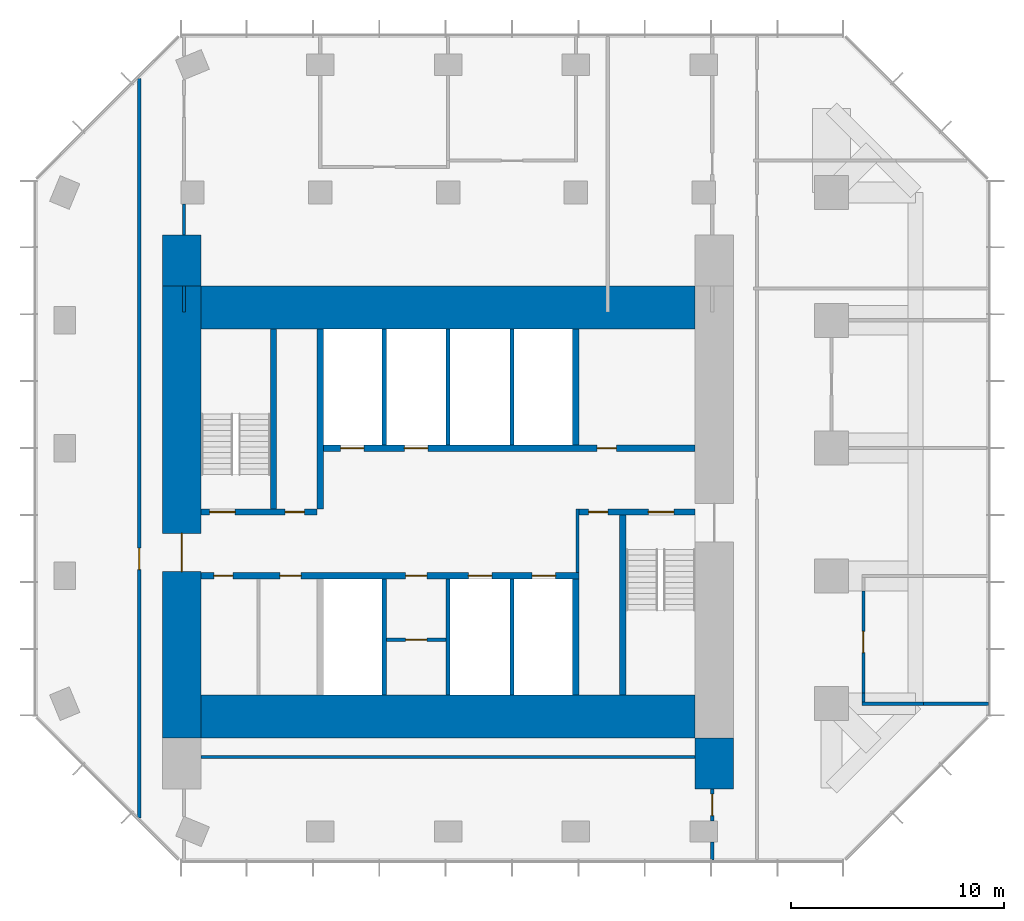
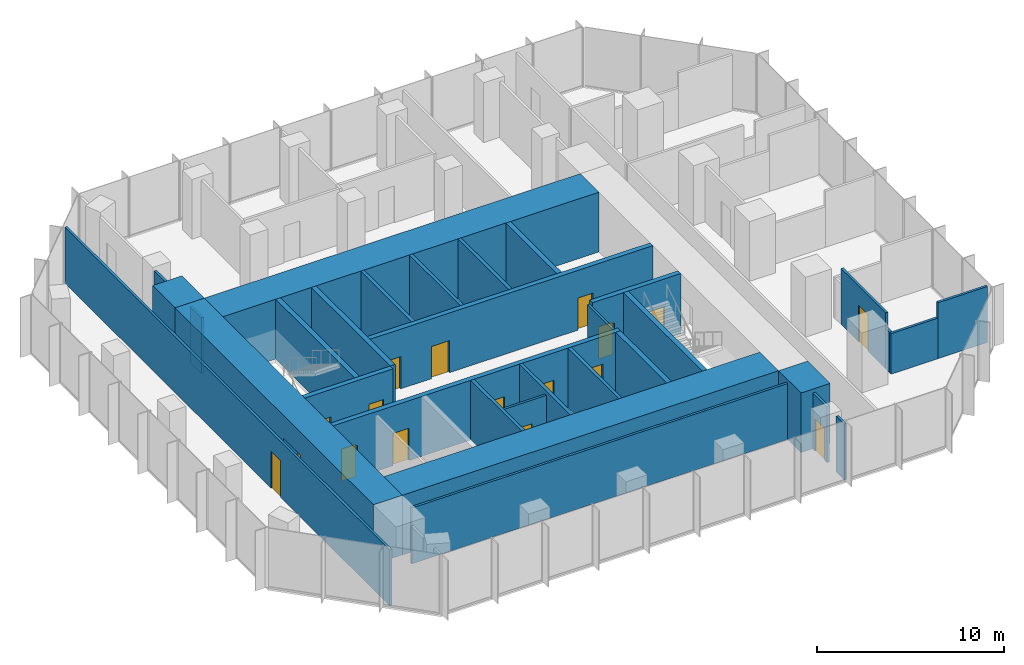
# One storey, part 8 of 10: 32 walls, 17 doors, 17 openings.
"""IFC4 building model written with IfcOpenShell, lengths in metres."""

from ifc_helpers import new_model, si_unit, direction, frame, frame_2d, origin, place, context, subcontext, project, spatial, rectangle, extrude, material, layer, layer_set, type_object, element, fill, save


model = new_model("IFC4")

# Units and contexts
model_context = context("Model", 3, precision=1e-05, world=origin(), true_north=direction((0.0, 1.0)))
body_context = subcontext(model_context, "Body", "Model", "MODEL_VIEW")
ifc_project = project(units=[si_unit("LENGTHUNIT", "METRE"), si_unit("AREAUNIT", "SQUARE_METRE"), si_unit("VOLUMEUNIT", "CUBIC_METRE"), si_unit("PLANEANGLEUNIT", "RADIAN"), si_unit("MASSUNIT", "GRAM", prefix="KILO")], contexts=[model_context])

# Site, building, storey
site_placement = place(None, origin())
site = spatial("IfcSite", under=ifc_project, at=site_placement, CompositionType="ELEMENT")
building_placement = place(site_placement, origin())
building = spatial("IfcBuilding", under=site, at=building_placement, Name="Highveld Stack Headquarters", CompositionType="ELEMENT")
storey_placement = place(building_placement, frame((0.0, 0.0, 252.800048828125)))
storey = spatial("IfcBuildingStorey", under=building, at=storey_placement, Name="L62", CompositionType="ELEMENT", Elevation=252.800048828125)

# Wall, opening, door
ifc_material_1 = material(Name="Concrete C60/75", Category="concrete")
ifc_layer_1 = layer(ifc_material_1, 1.800048828125)
ifc_layer_set_1 = layer_set([ifc_layer_1], Name="Concrete C60/75")
wall_type_1 = type_object("IfcWallType", Name="CORE WALL 1800 C60/75", PredefinedType="SHEAR", material=ifc_layer_set_1)
wall_1_placement = place(storey_placement, frame((-6.5, -7.60009765625, 0.0), z_axis=(0.0, 0.0, 1.0), x_axis=(0.0, 1.0, 0.0)))
wall_1 = element("IfcWall", 1, at=wall_1_placement, inside=storey, type_object=wall_type_1, Name="Core wall W L62", PredefinedType="SHEAR", context=body_context, shape_type="SweptSolid", body=[
    extrude(rectangle(XDim=21.2001953125, YDim=1.800048828125, at=frame_2d((10.60009765625, 0.0))), origin(), (0.0, 0.0, 1.0), 3.89990234375),
])
opening_1_placement = place(wall_1_placement, frame((7.800048828125, 0.0, 0.0)))
opening_1 = element("IfcOpeningElement", 2, at=opening_1_placement, cuts=wall_1, Name="Opening L62-01", PredefinedType="OPENING", context=body_context, shape_type="SweptSolid", body=[
    extrude(rectangle(XDim=1.800048828125, YDim=2.39990234375, at=frame_2d((0.89990234375, 1.199951171875))), frame((0.0, 0.909912109375, 0.0), z_axis=(0.0, -1.0, 0.0), x_axis=(1.0, 0.0, 0.0)), (0.0, 0.0, 1.0), 1.820068359375),
])
ifc_material_2 = material(Name="Steel fire door", Category="steel")
door_type_1 = type_object("IfcDoorType", Name="LOBBY FIRE DOOR D4 1800x2400", OperationType="DOUBLE_DOOR_SINGLE_SWING", PredefinedType="DOOR", material=ifc_material_2)
door_1_placement = place(opening_1_placement, origin())
door_1 = element("IfcDoor", 3, at=door_1_placement, inside=storey, type_object=door_type_1, Name="Core west door L62", OperationType="DOUBLE_DOOR_SINGLE_SWING", OverallHeight=2.39990234375, OverallWidth=1.800048828125, PredefinedType="DOOR", context=body_context, shape_type="SweptSolid", body=[
    extrude(rectangle(XDim=1.800048828125, YDim=2.39990234375, at=frame_2d((0.89990234375, 1.199951171875))), frame((0.0, 0.02490234375, 0.0), z_axis=(0.0, -1.0, 0.0), x_axis=(1.0, 0.0, 0.0)), (0.0, 0.0, 1.0), 0.050048828125),
])
fill(opening_1, door_1)

# Walls
ifc_material_3 = material(Name="Concrete C60/75", Category="concrete")
ifc_layer_2 = layer(ifc_material_3, 2.0)
ifc_layer_set_2 = layer_set([ifc_layer_2], Name="Concrete C60/75")
wall_type_2 = type_object("IfcWallType", Name="CORE WALL 2000 C60/75", PredefinedType="SHEAR", material=ifc_layer_set_2)
for number, where, z_axis, x_axis, name in (
    (4, (-5.60009765625, -6.60009765625, 0.0), (0.0, 0.0, 1.0), (1.0, 0.0, 0.0), "Core wall S L62"),
    (5, (-5.60009765625, 12.60009765625, 0.0), (0.0, 0.0, 1.0), (1.0, 0.0, 0.0), "Core wall N L62"),
):
    element("IfcWall", number, at=place(storey_placement, frame(where, z_axis=z_axis, x_axis=x_axis)), inside=storey, type_object=wall_type_2, Name=name, PredefinedType="SHEAR", context=body_context, shape_type="SweptSolid", body=[
        extrude(rectangle(XDim=23.2001953125, YDim=2.0, at=frame_2d((11.60009765625, 0.0))), origin(), (0.0, 0.0, 1.0), 3.89990234375),
    ])

# Wall, openings, doors
ifc_material_4 = material(Name="Concrete C60/75", Category="concrete")
ifc_layer_3 = layer(ifc_material_4, 0.300048828125)
ifc_layer_set_3 = layer_set([ifc_layer_3], Name="Concrete C60/75")
wall_type_3 = type_object("IfcWallType", Name="CORE WALL 300 C60/75", PredefinedType="SHEAR", material=ifc_layer_set_3)
wall_2_placement = place(storey_placement, frame((-5.60009765625, 0.0, 0.0), z_axis=(0.0, 0.0, 1.0), x_axis=(1.0, 0.0, 0.0)))
wall_2 = element("IfcWall", 6, at=wall_2_placement, inside=storey, type_object=wall_type_3, Name="Core wall I-Y0 L62", PredefinedType="SHEAR", context=body_context, shape_type="SweptSolid", body=[
    extrude(rectangle(XDim=17.75, YDim=0.300048828125, at=frame_2d((8.875, 0.0))), origin(), (0.0, 0.0, 1.0), 3.89990234375),
])
opening_2_placement = place(wall_2_placement, frame((0.60009765625, 0.0, 0.0)))
opening_2 = element("IfcOpeningElement", 7, at=opening_2_placement, cuts=wall_2, Name="Opening L62-07", PredefinedType="OPENING", context=body_context, shape_type="SweptSolid", body=[
    extrude(rectangle(XDim=0.89990234375, YDim=2.10009765625, at=frame_2d((0.449951171875, 1.050048828125))), frame((0.0, 0.159912109375, 0.0), z_axis=(0.0, -1.0, 0.0), x_axis=(1.0, 0.0, 0.0)), (0.0, 0.0, 1.0), 0.320068359375),
])
opening_3_placement = place(wall_2_placement, frame((3.699951171875, 0.0, 0.0)))
opening_3 = element("IfcOpeningElement", 8, at=opening_3_placement, cuts=wall_2, Name="Opening L62-08", PredefinedType="OPENING", context=body_context, shape_type="SweptSolid", body=[
    extrude(rectangle(XDim=1.0, YDim=2.10009765625, at=frame_2d((0.5, 1.050048828125))), frame((0.0, 0.159912109375, 0.0), z_axis=(0.0, -1.0, 0.0), x_axis=(1.0, 0.0, 0.0)), (0.0, 0.0, 1.0), 0.320068359375),
])
opening_4_placement = place(wall_2_placement, frame((9.60009765625, 0.0, 0.0)))
opening_4 = element("IfcOpeningElement", 9, at=opening_4_placement, cuts=wall_2, Name="Opening L62-11", PredefinedType="OPENING", context=body_context, shape_type="SweptSolid", body=[
    extrude(rectangle(XDim=1.0, YDim=2.10009765625, at=frame_2d((0.5, 1.050048828125))), frame((0.0, 0.159912109375, 0.0), z_axis=(0.0, -1.0, 0.0), x_axis=(1.0, 0.0, 0.0)), (0.0, 0.0, 1.0), 0.320068359375),
])
opening_5_placement = place(wall_2_placement, frame((12.550048828125, 0.0, 0.0)))
opening_5 = element("IfcOpeningElement", 10, at=opening_5_placement, cuts=wall_2, Name="Opening LD", PredefinedType="OPENING", context=body_context, shape_type="SweptSolid", body=[
    extrude(rectangle(XDim=1.10009765625, YDim=2.10009765625, at=frame_2d((0.550048828125, 1.050048828125))), frame((0.0, 0.159912109375, 0.0), z_axis=(0.0, -1.0, 0.0), x_axis=(1.0, 0.0, 0.0)), (0.0, 0.0, 1.0), 0.320068359375),
])
opening_6_placement = place(wall_2_placement, frame((15.550048828125, 0.0, 0.0)))
opening_6 = element("IfcOpeningElement", 11, at=opening_6_placement, cuts=wall_2, Name="Opening LD", PredefinedType="OPENING", context=body_context, shape_type="SweptSolid", body=[
    extrude(rectangle(XDim=1.10009765625, YDim=2.10009765625, at=frame_2d((0.550048828125, 1.050048828125))), frame((0.0, 0.159912109375, 0.0), z_axis=(0.0, -1.0, 0.0), x_axis=(1.0, 0.0, 0.0)), (0.0, 0.0, 1.0), 0.320068359375),
])
ifc_material_5 = material(Name="Timber door, painted", Category="wood")
door_type_2 = type_object("IfcDoorType", Name="ACCESSIBLE WC DOOR D2 1000x2100", OperationType="SINGLE_SWING_RIGHT", PredefinedType="DOOR", material=ifc_material_5)
door_2_placement = place(opening_3_placement, origin())
door_2 = element("IfcDoor", 12, at=door_2_placement, inside=storey, type_object=door_type_2, Name="Accessible WC door L62", OperationType="SINGLE_SWING_LEFT", OverallHeight=2.10009765625, OverallWidth=1.0, PredefinedType="DOOR", context=body_context, shape_type="SweptSolid", body=[
    extrude(rectangle(XDim=1.0, YDim=2.10009765625, at=frame_2d((0.5, 1.050048828125))), frame((0.0, 0.02490234375, 0.0), z_axis=(0.0, -1.0, 0.0), x_axis=(1.0, 0.0, 0.0)), (0.0, 0.0, 1.0), 0.050048828125),
])
fill(opening_3, door_2)
ifc_material_6 = material(Name="Steel fire door", Category="steel")
door_type_3 = type_object("IfcDoorType", Name="CORE ROOM FIRE DOOR D14 1000x2100", OperationType="SINGLE_SWING_LEFT", PredefinedType="DOOR", material=ifc_material_6)
door_3_placement = place(opening_4_placement, origin())
door_3 = element("IfcDoor", 13, at=door_3_placement, inside=storey, type_object=door_type_3, Name="Capped B 1 door L62", OperationType="SINGLE_SWING_RIGHT", OverallHeight=2.10009765625, OverallWidth=1.0, PredefinedType="DOOR", context=body_context, shape_type="SweptSolid", body=[
    extrude(rectangle(XDim=1.0, YDim=2.10009765625, at=frame_2d((0.5, 1.050048828125))), frame((0.0, 0.02490234375, 0.0), z_axis=(0.0, -1.0, 0.0), x_axis=(1.0, 0.0, 0.0)), (0.0, 0.0, 1.0), 0.050048828125),
])
fill(opening_4, door_3)
ifc_material_7 = material(Name="Stainless steel lift landing door", Category="steel")
door_type_4 = type_object("IfcDoorType", Name="LIFT LANDING DOOR LD 1100x2100", OperationType="DOUBLE_DOOR_SLIDING", PredefinedType="USERDEFINED", material=ifc_material_7)
door_4_placement = place(opening_5_placement, origin())
door_4 = element("IfcDoor", 14, at=door_4_placement, inside=storey, type_object=door_type_4, Name="Lift landing door C1 L62", ObjectType="LIFT LANDING DOOR", OperationType="DOUBLE_DOOR_SLIDING", OverallHeight=2.10009765625, OverallWidth=1.10009765625, PredefinedType="USERDEFINED", context=body_context, shape_type="SweptSolid", body=[
    extrude(rectangle(XDim=1.10009765625, YDim=2.10009765625, at=frame_2d((0.550048828125, 1.050048828125))), frame((0.0, 0.02490234375, 0.0), z_axis=(0.0, -1.0, 0.0), x_axis=(1.0, 0.0, 0.0)), (0.0, 0.0, 1.0), 0.050048828125),
])
fill(opening_5, door_4)
door_5_placement = place(opening_6_placement, origin())
door_5 = element("IfcDoor", 15, at=door_5_placement, inside=storey, type_object=door_type_4, Name="Lift landing door C2 L62", ObjectType="LIFT LANDING DOOR", OperationType="DOUBLE_DOOR_SLIDING", OverallHeight=2.10009765625, OverallWidth=1.10009765625, PredefinedType="USERDEFINED", context=body_context, shape_type="SweptSolid", body=[
    extrude(rectangle(XDim=1.10009765625, YDim=2.10009765625, at=frame_2d((0.550048828125, 1.050048828125))), frame((0.0, 0.02490234375, 0.0), z_axis=(0.0, -1.0, 0.0), x_axis=(1.0, 0.0, 0.0)), (0.0, 0.0, 1.0), 0.050048828125),
])
fill(opening_6, door_5)
ifc_material_8 = material(Name="Timber door, painted", Category="wood")
door_type_5 = type_object("IfcDoorType", Name="WC DOOR D1 900x2100", OperationType="SINGLE_SWING_LEFT", PredefinedType="DOOR", material=ifc_material_8)
door_6_placement = place(opening_2_placement, origin())
door_6 = element("IfcDoor", 16, at=door_6_placement, inside=storey, type_object=door_type_5, Name="Female WC door L62", OperationType="SINGLE_SWING_LEFT", OverallHeight=2.10009765625, OverallWidth=0.89990234375, PredefinedType="DOOR", context=body_context, shape_type="SweptSolid", body=[
    extrude(rectangle(XDim=0.89990234375, YDim=2.10009765625, at=frame_2d((0.449951171875, 1.050048828125))), frame((0.0, 0.02490234375, 0.0), z_axis=(0.0, -1.0, 0.0), x_axis=(1.0, 0.0, 0.0)), (0.0, 0.0, 1.0), 0.050048828125),
])
fill(opening_2, door_6)

wall_3_placement = place(storey_placement, frame((-5.60009765625, 3.0, 0.0), z_axis=(0.0, 0.0, 1.0), x_axis=(1.0, 0.0, 0.0)))
wall_3 = element("IfcWall", 17, at=wall_3_placement, inside=storey, type_object=wall_type_3, Name="Core wall I-Y3W L62", PredefinedType="SHEAR", context=body_context, shape_type="SweptSolid", body=[
    extrude(rectangle(XDim=5.4501953125, YDim=0.300048828125, at=frame_2d((2.72509765625, 0.0))), origin(), (0.0, 0.0, 1.0), 3.89990234375),
])
opening_7_placement = place(wall_3_placement, frame((0.39990234375, 0.0, 0.0)))
opening_7 = element("IfcOpeningElement", 18, at=opening_7_placement, cuts=wall_3, Name="Opening L62-03", PredefinedType="OPENING", context=body_context, shape_type="SweptSolid", body=[
    extrude(rectangle(XDim=1.199951171875, YDim=2.10009765625, at=frame_2d((0.60009765625, 1.050048828125))), frame((0.0, 0.159912109375, 0.0), z_axis=(0.0, -1.0, 0.0), x_axis=(1.0, 0.0, 0.0)), (0.0, 0.0, 1.0), 0.320068359375),
])
opening_8_placement = place(wall_3_placement, frame((3.949951171875, 0.0, 0.0)))
opening_8 = element("IfcOpeningElement", 19, at=opening_8_placement, cuts=wall_3, Name="Opening L62-04", PredefinedType="OPENING", context=body_context, shape_type="SweptSolid", body=[
    extrude(rectangle(XDim=0.89990234375, YDim=2.10009765625, at=frame_2d((0.449951171875, 1.050048828125))), frame((0.0, 0.159912109375, 0.0), z_axis=(0.0, -1.0, 0.0), x_axis=(1.0, 0.0, 0.0)), (0.0, 0.0, 1.0), 0.320068359375),
])
ifc_material_9 = material(Name="Steel fire door", Category="steel")
door_type_6 = type_object("IfcDoorType", Name="RISER ACCESS DOOR D5 900x2100", OperationType="SINGLE_SWING_LEFT", PredefinedType="DOOR", material=ifc_material_9)
door_7_placement = place(opening_8_placement, origin())
door_7 = element("IfcDoor", 20, at=door_7_placement, inside=storey, type_object=door_type_6, Name="Riser R1 door L62", OperationType="SINGLE_SWING_RIGHT", OverallHeight=2.10009765625, OverallWidth=0.89990234375, PredefinedType="DOOR", context=body_context, shape_type="SweptSolid", body=[
    extrude(rectangle(XDim=0.89990234375, YDim=2.10009765625, at=frame_2d((0.449951171875, 1.050048828125))), frame((0.0, 0.02490234375, 0.0), z_axis=(0.0, -1.0, 0.0), x_axis=(1.0, 0.0, 0.0)), (0.0, 0.0, 1.0), 0.050048828125),
])
fill(opening_8, door_7)
ifc_material_10 = material(Name="Steel fire door", Category="steel")
door_type_7 = type_object("IfcDoorType", Name="STAIR FIRE DOOR D3 1200x2100", OperationType="SINGLE_SWING_LEFT", PredefinedType="DOOR", material=ifc_material_10)
door_8_placement = place(opening_7_placement, origin())
door_8 = element("IfcDoor", 21, at=door_8_placement, inside=storey, type_object=door_type_7, Name="Stair S1 door L62", OperationType="SINGLE_SWING_LEFT", OverallHeight=2.10009765625, OverallWidth=1.199951171875, PredefinedType="DOOR", context=body_context, shape_type="SweptSolid", body=[
    extrude(rectangle(XDim=1.199951171875, YDim=2.10009765625, at=frame_2d((0.60009765625, 1.050048828125))), frame((0.0, 0.02490234375, 0.0), z_axis=(0.0, -1.0, 0.0), x_axis=(1.0, 0.0, 0.0)), (0.0, 0.0, 1.0), 0.050048828125),
])
fill(opening_7, door_8)

wall_4_placement = place(storey_placement, frame((12.14990234375, 3.0, 0.0), z_axis=(0.0, 0.0, 1.0), x_axis=(1.0, 0.0, 0.0)))
wall_4 = element("IfcWall", 22, at=wall_4_placement, inside=storey, type_object=wall_type_3, Name="Core wall I-Y3E L62", PredefinedType="SHEAR", context=body_context, shape_type="SweptSolid", body=[
    extrude(rectangle(XDim=5.4501953125, YDim=0.300048828125, at=frame_2d((2.72509765625, 0.0))), origin(), (0.0, 0.0, 1.0), 3.89990234375),
])
opening_9_placement = place(wall_4_placement, frame((3.25, 0.0, 0.0)))
opening_9 = element("IfcOpeningElement", 23, at=opening_9_placement, cuts=wall_4, Name="Opening L62-05", PredefinedType="OPENING", context=body_context, shape_type="SweptSolid", body=[
    extrude(rectangle(XDim=1.199951171875, YDim=2.10009765625, at=frame_2d((0.60009765625, 1.050048828125))), frame((0.0, 0.159912109375, 0.0), z_axis=(0.0, -1.0, 0.0), x_axis=(1.0, 0.0, 0.0)), (0.0, 0.0, 1.0), 0.320068359375),
])
opening_10_placement = place(wall_4_placement, frame((0.449951171875, 0.0, 0.0)))
opening_10 = element("IfcOpeningElement", 24, at=opening_10_placement, cuts=wall_4, Name="Opening L62-06", PredefinedType="OPENING", context=body_context, shape_type="SweptSolid", body=[
    extrude(rectangle(XDim=0.89990234375, YDim=2.10009765625, at=frame_2d((0.449951171875, 1.050048828125))), frame((0.0, 0.159912109375, 0.0), z_axis=(0.0, -1.0, 0.0), x_axis=(1.0, 0.0, 0.0)), (0.0, 0.0, 1.0), 0.320068359375),
])
door_9_placement = place(opening_10_placement, origin())
door_9 = element("IfcDoor", 25, at=door_9_placement, inside=storey, type_object=door_type_6, Name="Riser R2 door L62", OperationType="SINGLE_SWING_LEFT", OverallHeight=2.10009765625, OverallWidth=0.89990234375, PredefinedType="DOOR", context=body_context, shape_type="SweptSolid", body=[
    extrude(rectangle(XDim=0.89990234375, YDim=2.10009765625, at=frame_2d((0.449951171875, 1.050048828125))), frame((0.0, 0.02490234375, 0.0), z_axis=(0.0, -1.0, 0.0), x_axis=(1.0, 0.0, 0.0)), (0.0, 0.0, 1.0), 0.050048828125),
])
fill(opening_10, door_9)
door_10_placement = place(opening_9_placement, origin())
door_10 = element("IfcDoor", 26, at=door_10_placement, inside=storey, type_object=door_type_7, Name="Stair S2 door L62", OperationType="SINGLE_SWING_RIGHT", OverallHeight=2.10009765625, OverallWidth=1.199951171875, PredefinedType="DOOR", context=body_context, shape_type="SweptSolid", body=[
    extrude(rectangle(XDim=1.199951171875, YDim=2.10009765625, at=frame_2d((0.60009765625, 1.050048828125))), frame((0.0, 0.02490234375, 0.0), z_axis=(0.0, -1.0, 0.0), x_axis=(1.0, 0.0, 0.0)), (0.0, 0.0, 1.0), 0.050048828125),
])
fill(opening_9, door_10)

wall_5_placement = place(storey_placement, frame((-0.14990234375, 6.0, 0.0), z_axis=(0.0, 0.0, 1.0), x_axis=(1.0, 0.0, 0.0)))
wall_5 = element("IfcWall", 27, at=wall_5_placement, inside=storey, type_object=wall_type_3, Name="Core wall I-Y6 L62", PredefinedType="SHEAR", context=body_context, shape_type="SweptSolid", body=[
    extrude(rectangle(XDim=17.75, YDim=0.300048828125, at=frame_2d((8.875, 0.0))), origin(), (0.0, 0.0, 1.0), 3.89990234375),
])
opening_11_placement = place(wall_5_placement, frame((13.14990234375, 0.0, 0.0)))
opening_11 = element("IfcOpeningElement", 28, at=opening_11_placement, cuts=wall_5, Name="Opening L62-09", PredefinedType="OPENING", context=body_context, shape_type="SweptSolid", body=[
    extrude(rectangle(XDim=0.89990234375, YDim=2.10009765625, at=frame_2d((0.449951171875, 1.050048828125))), frame((0.0, 0.159912109375, 0.0), z_axis=(0.0, -1.0, 0.0), x_axis=(1.0, 0.0, 0.0)), (0.0, 0.0, 1.0), 0.320068359375),
])
opening_12_placement = place(wall_5_placement, frame((1.10009765625, 0.0, 0.0)))
opening_12 = element("IfcOpeningElement", 29, at=opening_12_placement, cuts=wall_5, Name="Opening LD", PredefinedType="OPENING", context=body_context, shape_type="SweptSolid", body=[
    extrude(rectangle(XDim=1.10009765625, YDim=2.10009765625, at=frame_2d((0.550048828125, 1.050048828125))), frame((0.0, 0.159912109375, 0.0), z_axis=(0.0, -1.0, 0.0), x_axis=(1.0, 0.0, 0.0)), (0.0, 0.0, 1.0), 0.320068359375),
])
opening_13_placement = place(wall_5_placement, frame((4.10009765625, 0.0, 0.0)))
opening_13 = element("IfcOpeningElement", 30, at=opening_13_placement, cuts=wall_5, Name="Opening LD", PredefinedType="OPENING", context=body_context, shape_type="SweptSolid", body=[
    extrude(rectangle(XDim=1.10009765625, YDim=2.10009765625, at=frame_2d((0.550048828125, 1.050048828125))), frame((0.0, 0.159912109375, 0.0), z_axis=(0.0, -1.0, 0.0), x_axis=(1.0, 0.0, 0.0)), (0.0, 0.0, 1.0), 0.320068359375),
])
door_11_placement = place(opening_12_placement, origin())
door_11 = element("IfcDoor", 31, at=door_11_placement, inside=storey, type_object=door_type_4, Name="Lift landing door FF1 L62", ObjectType="LIFT LANDING DOOR", OperationType="DOUBLE_DOOR_SLIDING", OverallHeight=2.10009765625, OverallWidth=1.10009765625, PredefinedType="USERDEFINED", context=body_context, shape_type="SweptSolid", body=[
    extrude(rectangle(XDim=1.10009765625, YDim=2.10009765625, at=frame_2d((0.550048828125, 1.050048828125))), frame((0.0, 0.02490234375, 0.0), z_axis=(0.0, -1.0, 0.0), x_axis=(1.0, 0.0, 0.0)), (0.0, 0.0, 1.0), 0.050048828125),
])
fill(opening_12, door_11)
door_12_placement = place(opening_13_placement, origin())
door_12 = element("IfcDoor", 32, at=door_12_placement, inside=storey, type_object=door_type_4, Name="Lift landing door FF2 L62", ObjectType="LIFT LANDING DOOR", OperationType="DOUBLE_DOOR_SLIDING", OverallHeight=2.10009765625, OverallWidth=1.10009765625, PredefinedType="USERDEFINED", context=body_context, shape_type="SweptSolid", body=[
    extrude(rectangle(XDim=1.10009765625, YDim=2.10009765625, at=frame_2d((0.550048828125, 1.050048828125))), frame((0.0, 0.02490234375, 0.0), z_axis=(0.0, -1.0, 0.0), x_axis=(1.0, 0.0, 0.0)), (0.0, 0.0, 1.0), 0.050048828125),
])
fill(opening_13, door_12)
door_13_placement = place(opening_11_placement, origin())
door_13 = element("IfcDoor", 33, at=door_13_placement, inside=storey, type_object=door_type_5, Name="Male WC door L62", OperationType="SINGLE_SWING_RIGHT", OverallHeight=2.10009765625, OverallWidth=0.89990234375, PredefinedType="DOOR", context=body_context, shape_type="SweptSolid", body=[
    extrude(rectangle(XDim=0.89990234375, YDim=2.10009765625, at=frame_2d((0.449951171875, 1.050048828125))), frame((0.0, 0.02490234375, 0.0), z_axis=(0.0, -1.0, 0.0), x_axis=(1.0, 0.0, 0.0)), (0.0, 0.0, 1.0), 0.050048828125),
])
fill(opening_11, door_13)

# Walls
wall_6_placement = place(storey_placement, frame((0.0, 3.14990234375, 0.0), z_axis=(0.0, 0.0, 1.0), x_axis=(0.0, 1.0, 0.0)))
element("IfcWall", 34, at=wall_6_placement, inside=storey, type_object=wall_type_3, Name="Core wall I-X0N L62", PredefinedType="SHEAR", context=body_context, shape_type="SweptSolid", body=[
    extrude(rectangle(XDim=8.4501953125, YDim=0.300048828125, at=frame_2d((4.22509765625, 0.0))), origin(), (0.0, 0.0, 1.0), 3.89990234375),
])
for number, where, z_axis, x_axis, name in (
    (35, (12.0, -5.60009765625, 0.0), (0.0, 0.0, 1.0), (0.0, 1.0, 0.0), "Core wall I-X12S L62"),
    (36, (12.0, 6.14990234375, 0.0), (0.0, 0.0, 1.0), (0.0, 1.0, 0.0), "Core wall I-X12N L62"),
):
    element("IfcWall", number, at=place(storey_placement, frame(where, z_axis=z_axis, x_axis=x_axis)), inside=storey, type_object=wall_type_3, Name=name, PredefinedType="SHEAR", context=body_context, shape_type="SweptSolid", body=[
        extrude(rectangle(XDim=5.4501953125, YDim=0.300048828125, at=frame_2d((2.72509765625, 0.0))), origin(), (0.0, 0.0, 1.0), 3.89990234375),
    ])
for number, where, z_axis, x_axis, name in (
    (37, (-2.199951171875, 3.14990234375, 0.0), (0.0, 0.0, 1.0), (0.0, 1.0, 0.0), "Core wall I-RW L62"),
    (38, (14.199951171875, -5.60009765625, 0.0), (0.0, 0.0, 1.0), (0.0, 1.0, 0.0), "Core wall I-RE L62"),
):
    element("IfcWall", number, at=place(storey_placement, frame(where, z_axis=z_axis, x_axis=x_axis)), inside=storey, type_object=wall_type_3, Name=name, PredefinedType="SHEAR", context=body_context, shape_type="SweptSolid", body=[
        extrude(rectangle(XDim=8.4501953125, YDim=0.300048828125, at=frame_2d((4.22509765625, 0.0))), origin(), (0.0, 0.0, 1.0), 3.89990234375),
    ])
ifc_material_11 = material(Name="Concrete C60/75", Category="concrete")
ifc_layer_4 = layer(ifc_material_11, 1.800048828125)
ifc_layer_set_4 = layer_set([ifc_layer_4], Name="Concrete C60/75")
wall_type_4 = type_object("IfcWallType", Name="CORE WING WALL 1800 C60/75", PredefinedType="SHEAR", material=ifc_layer_set_4)
for number, where, z_axis, x_axis, name in (
    (39, (-6.5, 13.60009765625, 0.0), (0.0, 0.0, 1.0), (0.0, 1.0, 0.0), "Core wing wall WN L62"),
    (40, (18.5, -10.0, 0.0), (0.0, 0.0, 1.0), (0.0, 1.0, 0.0), "Core wing wall ES L62"),
):
    element("IfcWall", number, at=place(storey_placement, frame(where, z_axis=z_axis, x_axis=x_axis)), inside=storey, type_object=wall_type_4, Name=name, PredefinedType="SHEAR", context=body_context, shape_type="SweptSolid", body=[
        extrude(rectangle(XDim=2.39990234375, YDim=1.800048828125, at=frame_2d((1.199951171875, 0.0))), origin(), (0.0, 0.0, 1.0), 3.89990234375),
    ])

# Wall, opening, door
ifc_material_12 = material(Name="Concrete blockwork, plastered", Category="masonry")
ifc_layer_5 = layer(ifc_material_12, 0.14990234375)
ifc_layer_set_5 = layer_set([ifc_layer_5], Name="Concrete blockwork, plastered")
wall_type_5 = type_object("IfcWallType", Name="FIRE PARTITION 150 BLOCKWORK", PredefinedType="PARTITIONING", material=ifc_layer_set_5)
wall_7_placement = place(storey_placement, frame((3.10009765625, -3.0, 0.0), z_axis=(0.0, 0.0, 1.0), x_axis=(1.0, 0.0, 0.0)))
wall_7 = element("IfcWall", 41, at=wall_7_placement, inside=storey, type_object=wall_type_5, Name="Core room partition L62", PredefinedType="PARTITIONING", context=body_context, shape_type="SweptSolid", body=[
    extrude(rectangle(XDim=2.7998046875, YDim=0.14990234375, at=frame_2d((1.39990234375, 0.0))), origin(), (0.0, 0.0, 1.0), 3.64990234375),
])
opening_14_placement = place(wall_7_placement, frame((0.89990234375, 0.0, 0.0)))
opening_14 = element("IfcOpeningElement", 42, at=opening_14_placement, cuts=wall_7, Name="Opening L62-10", PredefinedType="OPENING", context=body_context, shape_type="SweptSolid", body=[
    extrude(rectangle(XDim=1.0, YDim=2.10009765625, at=frame_2d((0.5, 1.050048828125))), frame((0.0, 0.0849609375, 0.0), z_axis=(0.0, -1.0, 0.0), x_axis=(1.0, 0.0, 0.0)), (0.0, 0.0, 1.0), 0.169921875),
])
door_14_placement = place(opening_14_placement, origin())
door_14 = element("IfcDoor", 43, at=door_14_placement, inside=storey, type_object=door_type_3, Name="Capped B 2 door L62", OperationType="SINGLE_SWING_RIGHT", OverallHeight=2.10009765625, OverallWidth=1.0, PredefinedType="DOOR", context=body_context, shape_type="SweptSolid", body=[
    extrude(rectangle(XDim=1.0, YDim=2.10009765625, at=frame_2d((0.5, 1.050048828125))), frame((0.0, 0.02490234375, 0.0), z_axis=(0.0, -1.0, 0.0), x_axis=(1.0, 0.0, 0.0)), (0.0, 0.0, 1.0), 0.050048828125),
])
fill(opening_14, door_14)

# Walls
wall_8_placement = place(storey_placement, frame((12.074951171875, 0.14990234375, 0.0), z_axis=(0.0, 0.0, 1.0), x_axis=(0.0, 1.0, 0.0)))
element("IfcWall", 44, at=wall_8_placement, inside=storey, type_object=wall_type_5, Name="Riser R2 enclosure L62", PredefinedType="PARTITIONING", context=body_context, shape_type="SweptSolid", body=[
    extrude(rectangle(XDim=3.0, YDim=0.14990234375, at=frame_2d((1.5, 0.0))), origin(), (0.0, 0.0, 1.0), 3.64990234375),
])
ifc_material_13 = material(Name="Concrete blockwork, fair-faced", Category="masonry")
ifc_layer_6 = layer(ifc_material_13, 0.199951171875)
ifc_layer_set_6 = layer_set([ifc_layer_6], Name="Concrete blockwork, fair-faced")
wall_type_6 = type_object("IfcWallType", Name="LIFT SHAFT ENCLOSURE WALL 200 BLOCKWORK", PredefinedType="SOLIDWALL", material=ifc_layer_set_6)
for number, where, z_axis, x_axis, name in (
    (45, (3.0, 6.14990234375, 0.0), (0.0, 0.0, 1.0), (0.0, 1.0, 0.0), "Lift shaft wall L62"),
    (46, (6.0, 6.14990234375, 0.0), (0.0, 0.0, 1.0), (0.0, 1.0, 0.0), "Lift shaft wall L62"),
    (47, (9.0, 6.14990234375, 0.0), (0.0, 0.0, 1.0), (0.0, 1.0, 0.0), "Lift shaft wall L62"),
    (48, (3.0, -5.60009765625, 0.0), (0.0, 0.0, 1.0), (0.0, 1.0, 0.0), "Lift shaft wall L62"),
    (49, (6.0, -5.60009765625, 0.0), (0.0, 0.0, 1.0), (0.0, 1.0, 0.0), "Lift shaft wall L62"),
    (50, (9.0, -5.60009765625, 0.0), (0.0, 0.0, 1.0), (0.0, 1.0, 0.0), "Lift shaft wall L62"),
):
    element("IfcWall", number, at=place(storey_placement, frame(where, z_axis=z_axis, x_axis=x_axis)), inside=storey, type_object=wall_type_6, Name=name, PredefinedType="SOLIDWALL", context=body_context, shape_type="SweptSolid", body=[
        extrude(rectangle(XDim=5.4501953125, YDim=0.199951171875, at=frame_2d((2.72509765625, 0.0))), origin(), (0.0, 0.0, 1.0), 3.89990234375),
    ])
ifc_material_14 = material(Name="Gypsum plasterboard on steel studs", Category="steel")
ifc_layer_7 = layer(ifc_material_14, 0.14990234375)
ifc_layer_set_7 = layer_set([ifc_layer_7], Name="Gypsum plasterboard on steel studs")
wall_type_7 = type_object("IfcWallType", Name="PARTITION 150 PLASTERBOARD", PredefinedType="PARTITIONING", material=ifc_layer_set_7)
wall_9_placement = place(storey_placement, frame((25.425048828125, -6.0, 0.0), z_axis=(0.0, 0.0, 1.0), x_axis=(1.0, 0.0, 0.0)))
element("IfcWall", 51, at=wall_9_placement, inside=storey, type_object=wall_type_7, Name="Partition Quiet room L62", PredefinedType="PARTITIONING", context=body_context, shape_type="SweptSolid", body=[
    extrude(rectangle(XDim=2.885009765625, YDim=0.14990234375, at=frame_2d((1.4423828125, 0.0))), origin(), (0.0, 0.0, 1.0), 2.64990234375),
])
wall_10_placement = place(storey_placement, frame((28.31005859375, -6.0, 0.0), z_axis=(0.0, 0.0, 1.0), x_axis=(1.0, 0.0, 0.0)))
element("IfcWall", 52, at=wall_10_placement, inside=storey, type_object=wall_type_7, Name="Partition Quiet room L62", PredefinedType="PARTITIONING", context=body_context, shape_type="SweptSolid", body=[
    extrude(rectangle(XDim=3.06494140625, YDim=0.14990234375, at=frame_2d((1.532470703125, 0.0))), origin(), (0.0, 0.0, 1.0), 3.64990234375),
])
wall_11_placement = place(storey_placement, frame((25.5, -5.925048828125, 0.0), z_axis=(0.0, 0.0, 1.0), x_axis=(0.0, 1.0, 0.0)))
element("IfcWall", 53, at=wall_11_placement, inside=storey, type_object=wall_type_7, Name="Partition Quiet room L62", PredefinedType="PARTITIONING", context=body_context, shape_type="SweptSolid", body=[
    extrude(rectangle(XDim=0.43505859375, YDim=0.14990234375, at=frame_2d((0.217529296875, 0.0))), origin(), (0.0, 0.0, 1.0), 2.64990234375),
])

# Wall, opening, door
wall_12_placement = place(storey_placement, frame((25.5, -5.489990234375, 0.0), z_axis=(0.0, 0.0, 1.0), x_axis=(0.0, 1.0, 0.0)))
wall_12 = element("IfcWall", 54, at=wall_12_placement, inside=storey, type_object=wall_type_7, Name="Partition Quiet room L62", PredefinedType="PARTITIONING", context=body_context, shape_type="SweptSolid", body=[
    extrude(rectangle(XDim=4.780029296875, YDim=0.14990234375, at=frame_2d((2.39013671875, 0.0))), origin(), (0.0, 0.0, 1.0), 3.64990234375),
])
opening_15_placement = place(wall_12_placement, frame((1.889892578125, 0.0, 0.0)))
opening_15 = element("IfcOpeningElement", 55, at=opening_15_placement, cuts=wall_12, Name="Opening L62-12", PredefinedType="OPENING", context=body_context, shape_type="SweptSolid", body=[
    extrude(rectangle(XDim=1.0, YDim=2.39990234375, at=frame_2d((0.5, 1.199951171875))), frame((0.0, 0.0849609375, 0.0), z_axis=(0.0, -1.0, 0.0), x_axis=(1.0, 0.0, 0.0)), (0.0, 0.0, 1.0), 0.169921875),
])
ifc_material_15 = material(Name="Timber door, oiled ash", Category="wood")
door_type_8 = type_object("IfcDoorType", Name="ROOM DOOR D11 1000x2400", OperationType="SINGLE_SWING_LEFT", PredefinedType="DOOR", material=ifc_material_15)
door_15_placement = place(opening_15_placement, origin())
door_15 = element("IfcDoor", 56, at=door_15_placement, inside=storey, type_object=door_type_8, Name="Quiet room door 1 L62", OperationType="SINGLE_SWING_RIGHT", OverallHeight=2.39990234375, OverallWidth=1.0, PredefinedType="DOOR", context=body_context, shape_type="SweptSolid", body=[
    extrude(rectangle(XDim=1.0, YDim=2.39990234375, at=frame_2d((0.5, 1.199951171875))), frame((0.0, 0.02490234375, 0.0), z_axis=(0.0, -1.0, 0.0), x_axis=(1.0, 0.0, 0.0)), (0.0, 0.0, 1.0), 0.050048828125),
])
fill(opening_15, door_15)

wall_13_placement = place(storey_placement, frame((-8.5, -11.363037109375, 0.0), z_axis=(0.0, 0.0, 1.0), x_axis=(0.0, 1.0, 0.0)))
wall_13 = element("IfcWall", 57, at=wall_13_placement, inside=storey, type_object=wall_type_7, Name="Partition office neighbourhood L62", PredefinedType="PARTITIONING", context=body_context, shape_type="SweptSolid", body=[
    extrude(rectangle(XDim=34.72607421875, YDim=0.14990234375, at=frame_2d((17.363037109375, 0.0))), origin(), (0.0, 0.0, 1.0), 3.64990234375),
])
opening_16_placement = place(wall_13_placement, frame((11.662109375, 0.0, 0.0)))
opening_16 = element("IfcOpeningElement", 58, at=opening_16_placement, cuts=wall_13, Name="Opening L62-17", PredefinedType="OPENING", context=body_context, shape_type="SweptSolid", body=[
    extrude(rectangle(XDim=1.0, YDim=2.39990234375, at=frame_2d((0.5, 1.199951171875))), frame((0.0, 0.0849609375, 0.0), z_axis=(0.0, -1.0, 0.0), x_axis=(1.0, 0.0, 0.0)), (0.0, 0.0, 1.0), 0.169921875),
])
door_16_placement = place(opening_16_placement, origin())
door_16 = element("IfcDoor", 59, at=door_16_placement, inside=storey, type_object=door_type_8, Name="Office neighbourhood door L62", OperationType="SINGLE_SWING_LEFT", OverallHeight=2.39990234375, OverallWidth=1.0, PredefinedType="DOOR", context=body_context, shape_type="SweptSolid", body=[
    extrude(rectangle(XDim=1.0, YDim=2.39990234375, at=frame_2d((0.5, 1.199951171875))), frame((0.0, 0.02490234375, 0.0), z_axis=(0.0, -1.0, 0.0), x_axis=(1.0, 0.0, 0.0)), (0.0, 0.0, 1.0), 0.050048828125),
])
fill(opening_16, door_16)

# Walls
wall_14_placement = place(storey_placement, frame((-6.39990234375, 12.39990234375, 0.0), z_axis=(0.0, 0.0, 1.0), x_axis=(0.0, 1.0, 0.0)))
element("IfcWall", 60, at=wall_14_placement, inside=storey, type_object=wall_type_7, Name="Partition office neighbourhood L62", PredefinedType="PARTITIONING", context=body_context, shape_type="SweptSolid", body=[
    extrude(rectangle(XDim=1.2001953125, YDim=0.14990234375, at=frame_2d((0.60009765625, 0.0))), origin(), (0.0, 0.0, 1.0), 3.64990234375),
])
wall_15_placement = place(storey_placement, frame((-6.39990234375, 16.0, 0.0), z_axis=(0.0, 0.0, 1.0), x_axis=(0.0, 1.0, 0.0)))
element("IfcWall", 61, at=wall_15_placement, inside=storey, type_object=wall_type_7, Name="Partition office neighbourhood L62", PredefinedType="PARTITIONING", context=body_context, shape_type="SweptSolid", body=[
    extrude(rectangle(XDim=1.449951171875, YDim=0.14990234375, at=frame_2d((0.72509765625, 0.0))), origin(), (0.0, 0.0, 1.0), 3.64990234375),
])
wall_16_placement = place(storey_placement, frame((-5.60009765625, -8.5, 0.0), z_axis=(0.0, 0.0, 1.0), x_axis=(1.0, 0.0, 0.0)))
element("IfcWall", 62, at=wall_16_placement, inside=storey, type_object=wall_type_7, Name="Partition office neighbourhood L62", PredefinedType="PARTITIONING", context=body_context, shape_type="SweptSolid", body=[
    extrude(rectangle(XDim=23.2001953125, YDim=0.14990234375, at=frame_2d((11.60009765625, 0.0))), origin(), (0.0, 0.0, 1.0), 3.64990234375),
])
wall_17_placement = place(storey_placement, frame((18.39990234375, -13.35009765625, 0.0), z_axis=(0.0, 0.0, 1.0), x_axis=(0.0, 1.0, 0.0)))
element("IfcWall", 63, at=wall_17_placement, inside=storey, type_object=wall_type_7, Name="Partition office neighbourhood L62", PredefinedType="PARTITIONING", context=body_context, shape_type="SweptSolid", body=[
    extrude(rectangle(XDim=0.85009765625, YDim=0.14990234375, at=frame_2d((0.425048828125, 0.0))), origin(), (0.0, 0.0, 1.0), 3.64990234375),
])

# Wall, opening, door
wall_18_placement = place(storey_placement, frame((18.39990234375, -11.5, 0.0), z_axis=(0.0, 0.0, 1.0), x_axis=(0.0, 1.0, 0.0)))
wall_18 = element("IfcWall", 64, at=wall_18_placement, inside=storey, type_object=wall_type_7, Name="Partition office neighbourhood L62", PredefinedType="PARTITIONING", context=body_context, shape_type="SweptSolid", body=[
    extrude(rectangle(XDim=1.5, YDim=0.14990234375, at=frame_2d((0.75, 0.0))), origin(), (0.0, 0.0, 1.0), 3.64990234375),
])
opening_17_placement = place(wall_18_placement, frame((0.25, 0.0, 0.0)))
opening_17 = element("IfcOpeningElement", 65, at=opening_17_placement, cuts=wall_18, Name="Opening L62-22", PredefinedType="OPENING", context=body_context, shape_type="SweptSolid", body=[
    extrude(rectangle(XDim=1.0, YDim=2.10009765625, at=frame_2d((0.5, 1.050048828125))), frame((0.0, 0.0849609375, 0.0), z_axis=(0.0, -1.0, 0.0), x_axis=(1.0, 0.0, 0.0)), (0.0, 0.0, 1.0), 0.169921875),
])
ifc_material_16 = material(Name="Timber door, oiled ash", Category="wood")
door_type_9 = type_object("IfcDoorType", Name="ROOM DOOR D6 1000x2100", OperationType="SINGLE_SWING_LEFT", PredefinedType="DOOR", material=ifc_material_16)
door_17_placement = place(opening_17_placement, origin())
door_17 = element("IfcDoor", 66, at=door_17_placement, inside=storey, type_object=door_type_9, Name="Office neighbourhood door L62", OperationType="SINGLE_SWING_RIGHT", OverallHeight=2.10009765625, OverallWidth=1.0, PredefinedType="DOOR", context=body_context, shape_type="SweptSolid", body=[
    extrude(rectangle(XDim=1.0, YDim=2.10009765625, at=frame_2d((0.5, 1.050048828125))), frame((0.0, 0.02490234375, 0.0), z_axis=(0.0, -1.0, 0.0), x_axis=(1.0, 0.0, 0.0)), (0.0, 0.0, 1.0), 0.050048828125),
])
fill(opening_17, door_17)

save(model, "model.ifc")
